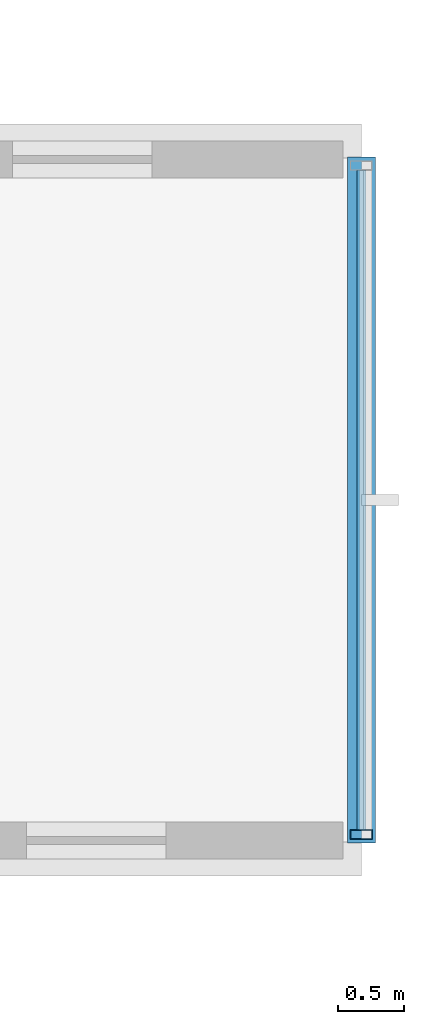
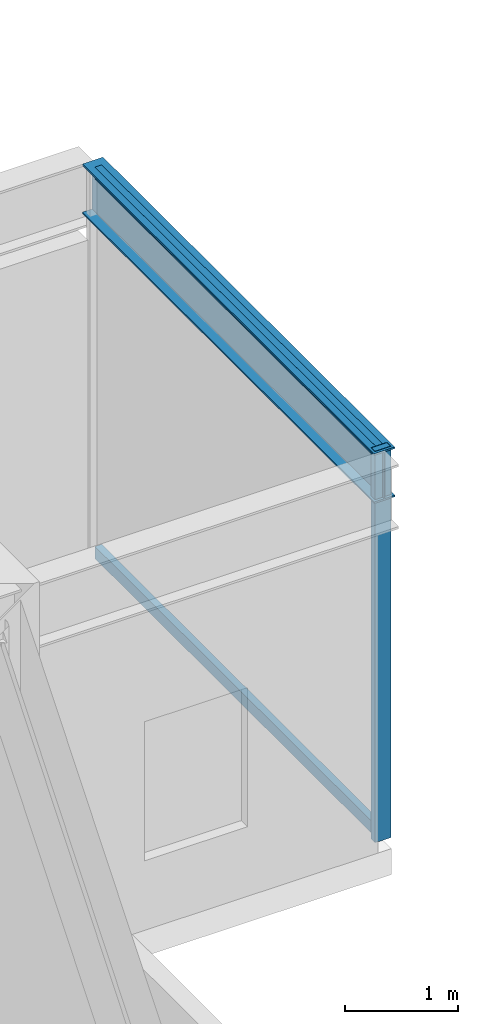
# One storey, part 10 of 22: 3 members, 1 beam, 1 element without a shape of its own.
"""IFC4 building model written with IfcOpenShell, lengths in metres."""

from ifc_helpers import new_model, si_unit, direction, frame, origin, origin_2d, place, context, subcontext, project, spatial, hollow_rectangle, i_section, extrude, material, layer, layer_set, material_profile, profile_set, type_object, element, aggregate, save


model = new_model("IFC4")

# Units and contexts
model_context = context("Model", 3, precision=1e-05, world=origin(), true_north=direction((0.0, 1.0)))
body_context = subcontext(model_context, "Body", "Model", "MODEL_VIEW")
ifc_project = project(units=[si_unit("LENGTHUNIT", "METRE"), si_unit("AREAUNIT", "SQUARE_METRE"), si_unit("VOLUMEUNIT", "CUBIC_METRE"), si_unit("PLANEANGLEUNIT", "RADIAN"), si_unit("MASSUNIT", "GRAM", prefix="KILO")], contexts=[model_context])

# Site, building, storey
site_placement = place(None, origin())
site = spatial("IfcSite", under=ifc_project, at=site_placement, CompositionType="ELEMENT")
building_placement = place(site_placement, origin())
building = spatial("IfcBuilding", under=site, at=building_placement, Name="Surkhivell Harbour Commons", CompositionType="ELEMENT")
storey_placement = place(building_placement, frame((0.0, 0.0, 342.0)))
storey = spatial("IfcBuildingStorey", under=building, at=storey_placement, Name="L89", CompositionType="ELEMENT", Elevation=342.0)

# Beam
ifc_material_1 = material(Name="Steel S355", Category="steel")
ifc_material_profile_1 = material_profile(ifc_material_1, i_section(OverallWidth=0.2099609375, OverallDepth=0.537109375, WebThickness=0.0107421875, FlangeThickness=0.017333984375, at=origin_2d()), Name="UB533x210x101")
ifc_profile_set_1 = profile_set([ifc_material_profile_1], Name="Steel S355")
beam_type = type_object("IfcBeamType", Name="BM-GRD-533B", PredefinedType="BEAM", material=ifc_profile_set_1)
beam_placement = place(storey_placement, frame((15.10009765625, 10.922119140625, 3.951416015625), z_axis=(0.0, 1.0, 0.0), x_axis=(-1.0, 0.0, 0.0)))
element("IfcBeam", 1, at=beam_placement, inside=storey, type_object=beam_type, Name="L89 Box Rim Spandrel (15.1,10.8)", PredefinedType="BEAM", context=body_context, shape_type="SweptSolid", body=[
    extrude(i_section(OverallWidth=0.2099609375, OverallDepth=0.537109375, WebThickness=0.0107421875, FlangeThickness=0.017333984375, at=origin_2d()), origin(), (0.0, 0.0, 1.0), 5.15576171875),
])

# Curtain wall, members
ifc_material_2 = material(Name="Anodised pale-metal aluminium and insulated glazing", Category="aluminium")
ifc_layer = layer(ifc_material_2, 0.1650390625)
ifc_layer_set = layer_set([ifc_layer], Name="Anodised pale-metal aluminium and insulated glazing")
curtain_wall_type = type_object("IfcCurtainWallType", Name="CW-SYS-BOX", PredefinedType="NOTDEFINED", material=ifc_layer_set)
curtain_wall_placement = place(storey_placement, origin())
curtain_wall = element("IfcCurtainWall", 2, at=curtain_wall_placement, inside=storey, type_object=curtain_wall_type, Name="L89 Curtain Wall CW-L89-BOX02", PredefinedType="NOTDEFINED")
ifc_material_3 = material(Name="Champagne anodised aluminium alloy 6063-T6", Category="aluminium")
ifc_material_profile_2 = material_profile(ifc_material_3, hollow_rectangle(XDim=0.070068359375, YDim=0.1650390625, WallThickness=0.00341796875, at=origin_2d()), Name="ALU-MULL-70x165")
ifc_profile_set_2 = profile_set([ifc_material_profile_2], Name="Champagne anodised aluminium alloy 6063-T6")
member_type_1 = type_object("IfcMemberType", Name="CWM-165", PredefinedType="MULLION", material=ifc_profile_set_2)
member_1_placement = place(storey_placement, frame((15.10009765625, 10.985107421875, 0.0), z_axis=(0.0, 0.0, 1.0), x_axis=(0.0, 1.0, 0.0)))
member_1 = element("IfcMember", 3, at=member_1_placement, type_object=member_type_1, Name="CW-BOX mullion 1", PredefinedType="MULLION", context=body_context, shape_type="SweptSolid", body=[
    extrude(hollow_rectangle(XDim=0.070068359375, YDim=0.1650390625, WallThickness=0.00341796875, at=origin_2d()), origin(), (0.0, 0.0, 1.0), 4.219970703125),
])
ifc_material_profile_3 = material_profile(ifc_material_3, hollow_rectangle(XDim=0.070068359375, YDim=0.1298828125, WallThickness=0.00341796875, at=origin_2d()), Name="ALU-TRAN-70x130")
ifc_profile_set_3 = profile_set([ifc_material_profile_3], Name="Champagne anodised aluminium alloy 6063-T6")
member_type_2 = type_object("IfcMemberType", Name="CWT-130", PredefinedType="USERDEFINED", material=ifc_profile_set_3)
member_2_placement = place(storey_placement, frame((15.10009765625, 11.02001953125, 0.06494140625), z_axis=(0.0, 1.0, 0.0), x_axis=(-1.0, 0.0, 0.0)))
member_2 = element("IfcMember", 4, at=member_2_placement, type_object=member_type_2, Name="CW-BOX transom 1.1", ObjectType="TRANSOM", PredefinedType="USERDEFINED", context=body_context, shape_type="SweptSolid", body=[
    extrude(hollow_rectangle(XDim=0.070068359375, YDim=0.1298828125, WallThickness=0.00341796875, at=origin_2d()), origin(), (0.0, 0.0, 1.0), 4.9599609375),
])
member_3_placement = place(storey_placement, frame((15.10009765625, 11.02001953125, 4.155029296875), z_axis=(0.0, 1.0, 0.0), x_axis=(-1.0, 0.0, 0.0)))
member_3 = element("IfcMember", 5, at=member_3_placement, type_object=member_type_2, Name="CW-BOX transom 1.2", ObjectType="TRANSOM", PredefinedType="USERDEFINED", context=body_context, shape_type="SweptSolid", body=[
    extrude(hollow_rectangle(XDim=0.070068359375, YDim=0.1298828125, WallThickness=0.00341796875, at=origin_2d()), origin(), (0.0, 0.0, 1.0), 4.9599609375),
])
aggregate(curtain_wall, [member_1, member_2, member_3])

save(model, "model.ifc")
